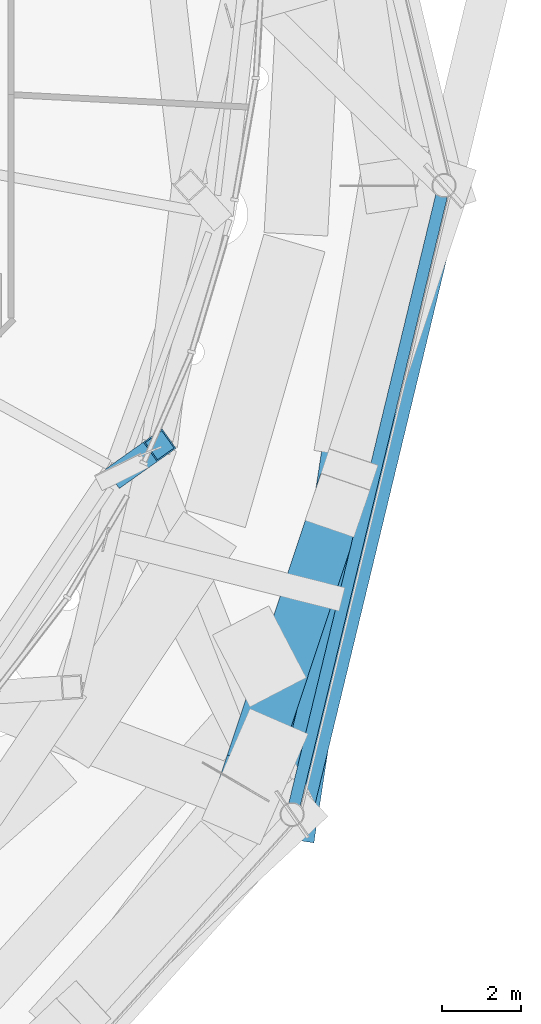
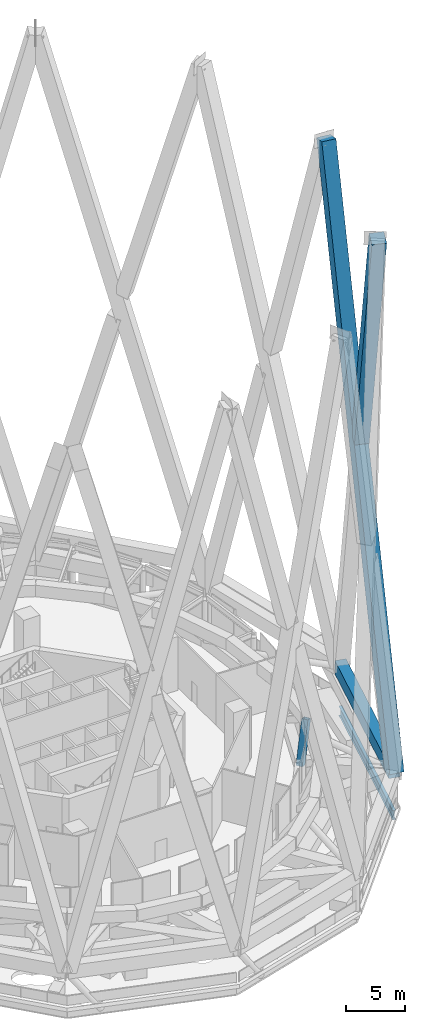
# One storey, part 12 of 48: 3 members, 2 beams.
"""IFC4 building model written with IfcOpenShell, lengths in metres."""

from ifc_helpers import new_model, si_unit, direction, frame, origin, origin_2d, place, context, subcontext, project, spatial, rectangle, hollow_rectangle, i_section, extrude, material, material_profile, profile_set, type_object, element, save


model = new_model("IFC4")

# Units and contexts
model_context = context("Model", 3, precision=1e-05, world=origin(), true_north=direction((0.0, 1.0)))
body_context = subcontext(model_context, "Body", "Model", "MODEL_VIEW")
ifc_project = project(units=[si_unit("LENGTHUNIT", "METRE"), si_unit("AREAUNIT", "SQUARE_METRE"), si_unit("VOLUMEUNIT", "CUBIC_METRE"), si_unit("PLANEANGLEUNIT", "RADIAN"), si_unit("MASSUNIT", "GRAM", prefix="KILO")], contexts=[model_context])

# Site, building, storey
site_placement = place(None, origin())
site = spatial("IfcSite", under=ifc_project, at=site_placement, CompositionType="ELEMENT")
building_placement = place(site_placement, origin())
building = spatial("IfcBuilding", under=site, at=building_placement, Name="Nagisa Residences", CompositionType="ELEMENT")
storey_placement = place(building_placement, frame((0.0, 0.0, 252.89990234375)))
storey = spatial("IfcBuildingStorey", under=building, at=storey_placement, Name="L64", CompositionType="ELEMENT", Elevation=252.89990234375)

# Beam
ifc_material_1 = material(Name="Steel ASTM A572 Gr 50", Category="steel")
ifc_material_profile_1 = material_profile(ifc_material_1, hollow_rectangle(XDim=0.60009765625, YDim=0.60009765625, WallThickness=0.034912109375, at=origin_2d()), Name="BX 600x600x35")
ifc_profile_set_1 = profile_set([ifc_material_profile_1], Name="Steel ASTM A572 Gr 50")
beam_type_1 = type_object("IfcBeamType", Name="Belt diagonal 5 BX 600x600x35", PredefinedType="BEAM", material=ifc_profile_set_1)
beam_1_placement = place(storey_placement, frame((18.6123046875, -10.327392578125, 0.60009765625), z_axis=(0.221726083696, 0.157370470972, 0.962326388849), x_axis=(-0.578787305275, 0.815478543711, 0.0)))
element("IfcBeam", 1, at=beam_1_placement, inside=storey, type_object=beam_type_1, Name="beam:L64:bt5db23", PredefinedType="BEAM", context=body_context, shape_type="SweptSolid", body=[
    extrude(hollow_rectangle(XDim=0.60009765625, YDim=0.60009765625, WallThickness=0.034912109375, at=origin_2d()), origin(), (0.0, 0.0, 1.0), 4.302001953125),
])

# Members
ifc_material_2 = material(Name="Concrete C80", Category="concrete")
ifc_material_profile_2 = material_profile(ifc_material_2, rectangle(XDim=1.300048828125, YDim=1.300048828125, at=origin_2d()), Name="C80 1300x1300")
ifc_profile_set_2 = profile_set([ifc_material_profile_2], Name="Concrete C80")
member_type_1 = type_object("IfcMemberType", Name="Cage diagonal 6 C80 1300x1300", PredefinedType="BRACE", material=ifc_profile_set_2)
member_1_placement = place(storey_placement, frame((22.89892578125, -18.937744140625, 3.7001953125), z_axis=(0.041846713581, 0.273432004975, 0.960980640397), x_axis=(-0.988490785435, 0.151281086424, 0.0)))
element("IfcMember", 2, at=member_1_placement, inside=storey, type_object=member_type_1, Name="mem:L64:cg6d023", PredefinedType="BRACE", context=body_context, shape_type="SweptSolid", body=[
    extrude(rectangle(XDim=1.300048828125, YDim=1.300048828125, at=origin_2d()), origin(), (0.0, 0.0, 1.0), 57.857421875),
])
member_2_placement = place(storey_placement, frame((24.040771484375, -11.165771484375, 33.295166015625), z_axis=(-0.0870268127, -0.261423383127, 0.961292956713), x_axis=(0.948807692725, -0.315854337037, 0.0)))
element("IfcMember", 3, at=member_2_placement, inside=storey, type_object=member_type_1, Name="mem:L64:cg6d024b", PredefinedType="BRACE", context=body_context, shape_type="SweptSolid", body=[
    extrude(rectangle(XDim=1.300048828125, YDim=1.300048828125, at=origin_2d()), origin(), (0.0, 0.0, 1.0), 27.052001953125),
])
ifc_material_3 = material(Name="Concrete C80", Category="concrete")
ifc_material_profile_3 = material_profile(ifc_material_3, rectangle(XDim=1.0, YDim=1.39990234375, at=origin_2d()), Name="C80 1000x1400")
ifc_profile_set_3 = profile_set([ifc_material_profile_3], Name="Concrete C80")
member_type_2 = type_object("IfcMemberType", Name="Cage ring 6 C80 1000x1400", PredefinedType="CHORD", material=ifc_profile_set_3)
member_3_placement = place(storey_placement, frame((22.89892578125, -18.937744140625, 3.7001953125), z_axis=(0.23478032632, 0.972048454745, 0.0), x_axis=(-0.972048454745, 0.23478032632, 0.0)))
element("IfcMember", 4, at=member_3_placement, inside=storey, type_object=member_type_2, Name="beam:L64:cg6r012", PredefinedType="CHORD", context=body_context, shape_type="SweptSolid", body=[
    extrude(rectangle(XDim=1.0, YDim=1.39990234375, at=origin_2d()), origin(), (0.0, 0.0, 1.0), 16.27490234375),
])

# Beam
ifc_material_4 = material(Name="Steel ASTM A572 Gr 50", Category="steel")
ifc_material_profile_4 = material_profile(ifc_material_4, i_section(OverallWidth=0.300048828125, OverallDepth=0.97998046875, WebThickness=0.0166015625, FlangeThickness=0.02587890625, at=origin_2d()), Name="W1000x249")
ifc_profile_set_4 = profile_set([ifc_material_profile_4], Name="Steel ASTM A572 Gr 50")
beam_type_2 = type_object("IfcBeamType", Name="Deck edge beam W1000x249", PredefinedType="BEAM", material=ifc_profile_set_4)
beam_2_placement = place(storey_placement, frame((22.89892578125, -18.937744140625, -0.889892578125), z_axis=(0.23478032632, 0.972048454745, 0.0), x_axis=(-0.972048454745, 0.23478032632, 0.0)))
element("IfcBeam", 5, at=beam_2_placement, inside=storey, type_object=beam_type_2, Name="beam:L64:deckedge10", PredefinedType="BEAM", context=body_context, shape_type="SweptSolid", body=[
    extrude(i_section(OverallWidth=0.300048828125, OverallDepth=0.97998046875, WebThickness=0.0166015625, FlangeThickness=0.02587890625, at=origin_2d()), origin(), (0.0, 0.0, 1.0), 16.27490234375),
])

save(model, "model.ifc")
